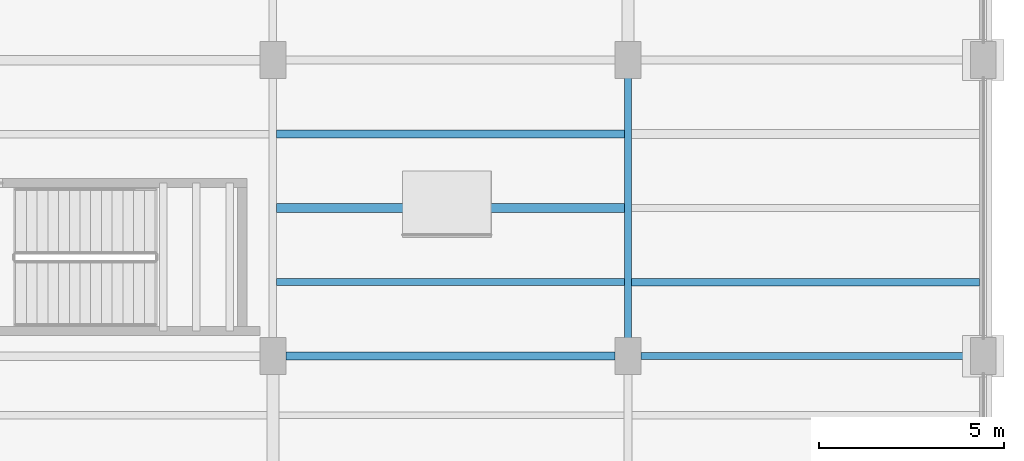
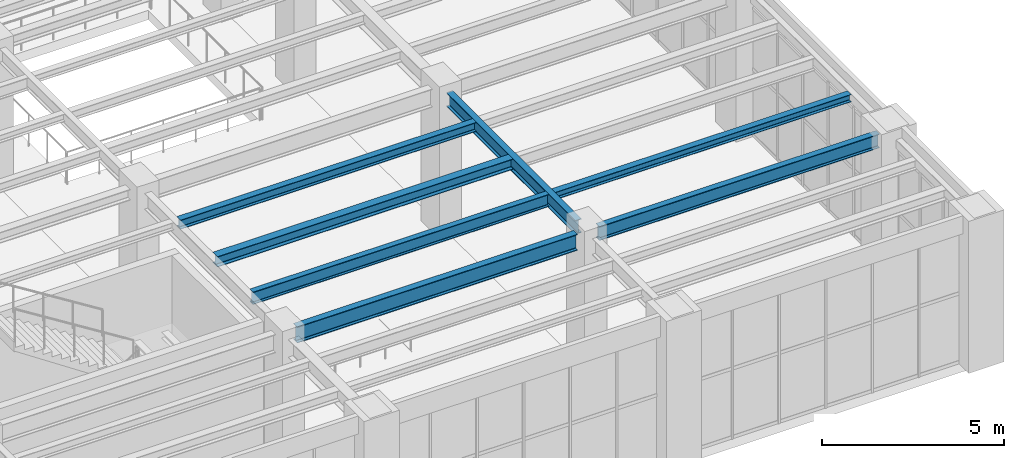
# One storey, part 104 of 174: 7 beams.
"""IFC4 building model written with IfcOpenShell, lengths in metres."""

from ifc_helpers import new_model, si_unit, direction, frame, origin, origin_2d, place, context, subcontext, project, spatial, i_section, extrude, material, material_profile, profile_set, type_object, element, save


model = new_model("IFC4")

# Units and contexts
model_context = context("Model", 3, precision=1e-05, world=origin(), true_north=direction((0.0, 1.0)))
body_context = subcontext(model_context, "Body", "Model", "MODEL_VIEW")
ifc_project = project(units=[si_unit("LENGTHUNIT", "METRE"), si_unit("AREAUNIT", "SQUARE_METRE"), si_unit("VOLUMEUNIT", "CUBIC_METRE"), si_unit("PLANEANGLEUNIT", "RADIAN"), si_unit("MASSUNIT", "GRAM", prefix="KILO")], contexts=[model_context])

# Site, building, storey
site_placement = place(None, origin())
site = spatial("IfcSite", under=ifc_project, at=site_placement, CompositionType="ELEMENT")
building_placement = place(site_placement, origin())
building = spatial("IfcBuilding", under=site, at=building_placement, Name="Mavantir Sound Aquarium", CompositionType="ELEMENT")
storey_placement = place(building_placement, frame((0.0, 0.0, 5.39990234375)))
storey = spatial("IfcBuildingStorey", under=building, at=storey_placement, Name="L01", CompositionType="ELEMENT", Elevation=5.39990234375)

# Beams
ifc_material = material(Name="Structural Steel ASTM A992 Gr50", Category="steel")
ifc_material_profile_1 = material_profile(ifc_material, i_section(OverallWidth=0.202880859375, OverallDepth=0.251953125, WebThickness=0.008056640625, FlangeThickness=0.013427734375, FilletRadius=0.011962890625, at=origin_2d()), Name="W250X58")
ifc_profile_set_1 = profile_set([ifc_material_profile_1], Name="Structural Steel ASTM A992 Gr50")
beam_type_1 = type_object("IfcBeamType", Name="BM-W250X58-I", PredefinedType="JOIST", material=ifc_profile_set_1)
beam_1_placement = place(storey_placement, frame((165.697021484375, 42.800048828125, 4.68017578125), z_axis=(1.0, 0.0, 0.0), x_axis=(0.0, 1.0, 0.0)))
element("IfcBeam", 1, at=beam_1_placement, inside=storey, type_object=beam_type_1, Name="L01 secondary floor joist SJ-25 748", PredefinedType="JOIST", context=body_context, shape_type="SweptSolid", body=[
    extrude(i_section(OverallWidth=0.202880859375, OverallDepth=0.251953125, WebThickness=0.008056640625, FlangeThickness=0.013427734375, FilletRadius=0.011962890625, at=origin_2d()), origin(), (0.0, 0.0, 1.0), 9.403076171875),
])
ifc_material_profile_2 = material_profile(ifc_material, i_section(OverallWidth=0.205078125, OverallDepth=0.31005859375, WebThickness=0.009521484375, FlangeThickness=0.016357421875, FilletRadius=0.012939453125, at=origin_2d()), Name="W310X74")
ifc_profile_set_2 = profile_set([ifc_material_profile_2], Name="Structural Steel ASTM A992 Gr50")
beam_type_2 = type_object("IfcBeamType", Name="BM-W310X74-I", PredefinedType="JOIST", material=ifc_profile_set_2)
beam_2_placement = place(storey_placement, frame((156.10595703125, 46.800048828125, 4.651123046875), z_axis=(1.0, 0.0, 0.0), x_axis=(0.0, 1.0, 0.0)))
element("IfcBeam", 2, at=beam_2_placement, inside=storey, type_object=beam_type_2, Name="L01 secondary floor joist SJ-31 747", PredefinedType="JOIST", context=body_context, shape_type="SweptSolid", body=[
    extrude(i_section(OverallWidth=0.205078125, OverallDepth=0.31005859375, WebThickness=0.009521484375, FlangeThickness=0.016357421875, FilletRadius=0.012939453125, at=origin_2d()), origin(), (0.0, 0.0, 1.0), 9.39697265625),
])
ifc_material_profile_3 = material_profile(ifc_material, i_section(OverallWidth=0.25390625, OverallDepth=0.35302734375, WebThickness=0.009521484375, FlangeThickness=0.016357421875, FilletRadius=0.014892578125, at=origin_2d()), Name="W360X91")
ifc_profile_set_3 = profile_set([ifc_material_profile_3], Name="Structural Steel ASTM A992 Gr50")
beam_type_3 = type_object("IfcBeamType", Name="BM-W360X91-I", PredefinedType="JOIST", material=ifc_profile_set_3)
beam_3_placement = place(storey_placement, frame((156.10595703125, 44.800048828125, 4.629638671875), z_axis=(1.0, 0.0, 0.0), x_axis=(0.0, 1.0, 0.0)))
element("IfcBeam", 3, at=beam_3_placement, inside=storey, type_object=beam_type_3, Name="L01 secondary floor joist SJ-36 746", PredefinedType="JOIST", context=body_context, shape_type="SweptSolid", body=[
    extrude(i_section(OverallWidth=0.25390625, OverallDepth=0.35302734375, WebThickness=0.009521484375, FlangeThickness=0.016357421875, FilletRadius=0.014892578125, at=origin_2d()), origin(), (0.0, 0.0, 1.0), 9.39697265625),
])
ifc_material_profile_4 = material_profile(ifc_material, i_section(OverallWidth=0.180908203125, OverallDepth=0.4169921875, WebThickness=0.010986328125, FlangeThickness=0.018310546875, FilletRadius=0.014892578125, at=origin_2d()), Name="W410X85")
ifc_profile_set_4 = profile_set([ifc_material_profile_4], Name="Structural Steel ASTM A992 Gr50")
beam_type_4 = type_object("IfcBeamType", Name="BM-W410X85-I", PredefinedType="JOIST", material=ifc_profile_set_4)
beam_4_placement = place(storey_placement, frame((156.10595703125, 42.800048828125, 4.59765625), z_axis=(1.0, 0.0, 0.0), x_axis=(0.0, 1.0, 0.0)))
element("IfcBeam", 4, at=beam_4_placement, inside=storey, type_object=beam_type_4, Name="L01 secondary floor joist SJ-41 745", PredefinedType="JOIST", context=body_context, shape_type="SweptSolid", body=[
    extrude(i_section(OverallWidth=0.180908203125, OverallDepth=0.4169921875, WebThickness=0.010986328125, FlangeThickness=0.018310546875, FilletRadius=0.014892578125, at=origin_2d()), origin(), (0.0, 0.0, 1.0), 9.39697265625),
])
ifc_material_profile_5 = material_profile(ifc_material, i_section(OverallWidth=0.194091796875, OverallDepth=0.468994140625, WebThickness=0.0126953125, FlangeThickness=0.0205078125, FilletRadius=0.01611328125, at=origin_2d()), Name="W460X106")
ifc_profile_set_5 = profile_set([ifc_material_profile_5], Name="Structural Steel ASTM A992 Gr50")
beam_type_5 = type_object("IfcBeamType", Name="BM-W460X106-I", PredefinedType="BEAM", material=ifc_profile_set_5)
beam_5_placement = place(storey_placement, frame((165.949951171875, 40.800048828125, 4.54150390625), z_axis=(1.0, 0.0, 0.0), x_axis=(0.0, 1.0, 0.0)))
element("IfcBeam", 5, at=beam_5_placement, inside=storey, type_object=beam_type_5, Name="L01 primary beam SB-46 1251", PredefinedType="BEAM", context=body_context, shape_type="SweptSolid", body=[
    extrude(i_section(OverallWidth=0.194091796875, OverallDepth=0.468994140625, WebThickness=0.0126953125, FlangeThickness=0.0205078125, FilletRadius=0.01611328125, at=origin_2d()), origin(), (0.0, 0.0, 1.0), 8.900146484375),
])
beam_6_placement = place(storey_placement, frame((165.60009765625, 41.25, 4.571533203125), z_axis=(0.0, 1.0, 0.0), x_axis=(-1.0, 0.0, 0.0)))
element("IfcBeam", 6, at=beam_6_placement, inside=storey, type_object=beam_type_5, Name="L01 primary girder SB-46 1347", PredefinedType="BEAM", context=body_context, shape_type="SweptSolid", body=[
    extrude(i_section(OverallWidth=0.194091796875, OverallDepth=0.468994140625, WebThickness=0.0126953125, FlangeThickness=0.0205078125, FilletRadius=0.01611328125, at=origin_2d()), origin(), (0.0, 0.0, 1.0), 7.10009765625),
])
ifc_material_profile_6 = material_profile(ifc_material, i_section(OverallWidth=0.2119140625, OverallDepth=0.5439453125, WebThickness=0.01318359375, FlangeThickness=0.021240234375, FilletRadius=0.01806640625, at=origin_2d()), Name="W530X123")
ifc_profile_set_6 = profile_set([ifc_material_profile_6], Name="Structural Steel ASTM A992 Gr50")
beam_type_6 = type_object("IfcBeamType", Name="BM-W530X123-I", PredefinedType="BEAM", material=ifc_profile_set_6)
beam_7_placement = place(storey_placement, frame((156.35009765625, 40.800048828125, 4.504150390625), z_axis=(1.0, 0.0, 0.0), x_axis=(0.0, 1.0, 0.0)))
element("IfcBeam", 7, at=beam_7_placement, inside=storey, type_object=beam_type_6, Name="L01 primary beam SB-53 1250", PredefinedType="BEAM", context=body_context, shape_type="SweptSolid", body=[
    extrude(i_section(OverallWidth=0.2119140625, OverallDepth=0.5439453125, WebThickness=0.01318359375, FlangeThickness=0.021240234375, FilletRadius=0.01806640625, at=origin_2d()), origin(), (0.0, 0.0, 1.0), 8.89990234375),
])

save(model, "model.ifc")
